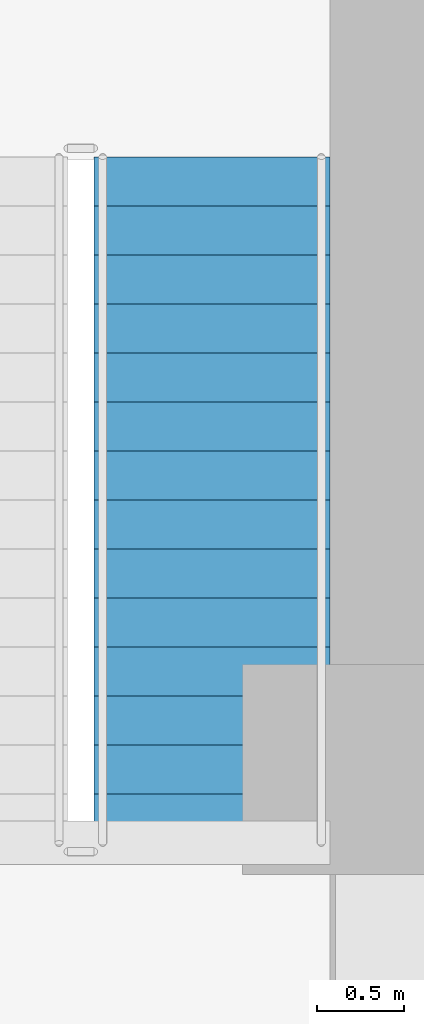
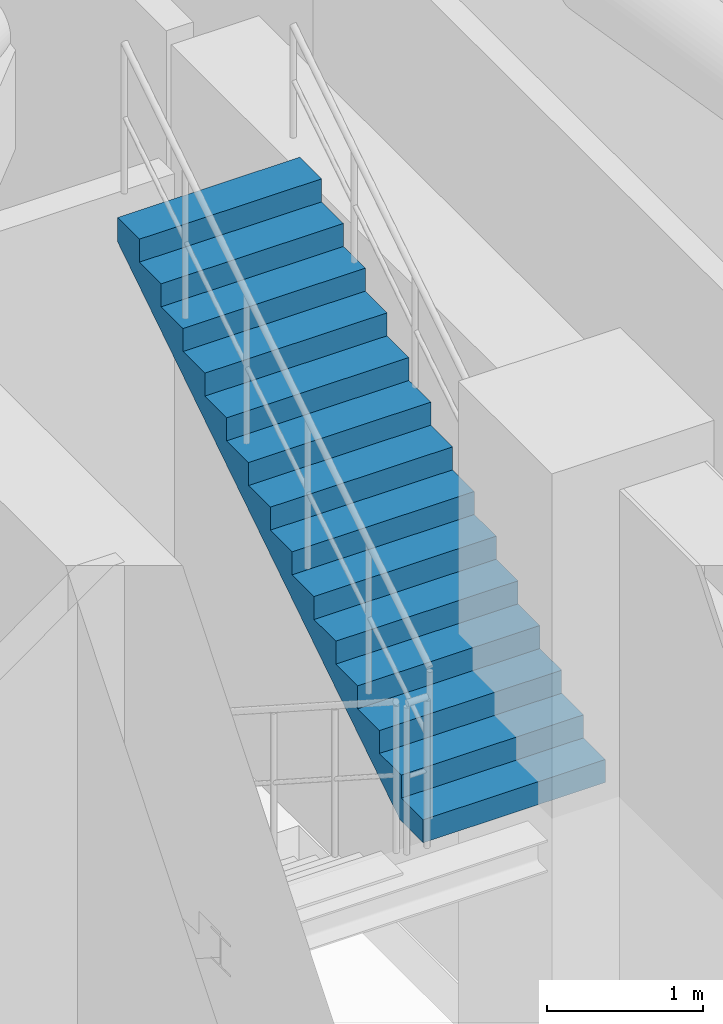
# One storey, part 5 of 6: 1 stair flight, 1 element without a shape of its own.
"""IFC4 building model written with IfcOpenShell, lengths in metres."""

from ifc_helpers import new_model, si_unit, direction, frame, origin, place, context, subcontext, project, spatial, polyline, outline, extrude, material, type_object, element, aggregate, save


model = new_model("IFC4")

# Units and contexts
model_context = context("Model", 3, precision=1e-05, world=origin(), true_north=direction((0.0, 1.0)))
body_context = subcontext(model_context, "Body", "Model", "MODEL_VIEW")
ifc_project = project(units=[si_unit("LENGTHUNIT", "METRE"), si_unit("AREAUNIT", "SQUARE_METRE"), si_unit("VOLUMEUNIT", "CUBIC_METRE"), si_unit("PLANEANGLEUNIT", "RADIAN"), si_unit("MASSUNIT", "GRAM", prefix="KILO")], contexts=[model_context])

# Site, building, storey
site_placement = place(None, origin())
site = spatial("IfcSite", under=ifc_project, at=site_placement, CompositionType="ELEMENT")
building_placement = place(site_placement, origin())
building = spatial("IfcBuilding", under=site, at=building_placement, Name="Miruveldt Soraemaru", CompositionType="ELEMENT")
storey_placement = place(building_placement, frame((0.0, 0.0, 90.39990234375)))
storey = spatial("IfcBuildingStorey", under=building, at=storey_placement, Name="L25", CompositionType="ELEMENT", Elevation=90.39990234375)

# Stair, stair flight
ifc_material = material(Name="Concrete C40/50 (40 MPa)", Category="concrete")
stair_type = type_object("IfcStairType", Name="STAIR-DL-540", PredefinedType="HALF_TURN_STAIR", material=ifc_material)
stair_placement = place(storey_placement, origin())
stair = element("IfcStair", 1, at=stair_placement, inside=storey, type_object=stair_type, Name="L25 Protected Exit Stair ST-2", PredefinedType="HALF_TURN_STAIR")
stair_flight_type = type_object("IfcStairFlightType", Name="SFL-DL-540", PredefinedType="STRAIGHT", material=ifc_material)
stair_flight_placement = place(storey_placement, frame((51.72509765625, 38.780029296875, 2.7001953125), z_axis=(0.0, 0.0, 1.0), x_axis=(0.0, 1.0, 0.0)))
stair_flight = element("IfcStairFlight", 2, at=stair_flight_placement, type_object=stair_flight_type, Name="ST-2 flight 2", NumberOfRisers=15, NumberOfTreads=14, PredefinedType="STRAIGHT", RiserHeight=0.18, TreadLength=0.28, context=body_context, shape_type="SweptSolid", body=[
    extrude(outline(polyline([(0.0, 0.0), (0.0, 0.179931640625), (0.280029296875, 0.179931640625), (0.280029296875, 0.360107421875), (0.56005859375, 0.360107421875), (0.56005859375, 0.5400390625), (0.840087890625, 0.5400390625), (0.840087890625, 0.719970703125), (1.1201171875, 0.719970703125), (1.1201171875, 0.89990234375), (1.39990234375, 0.89990234375), (1.39990234375, 1.080078125), (1.679931640625, 1.080078125), (1.679931640625, 1.260009765625), (1.9599609375, 1.260009765625), (1.9599609375, 1.43994140625), (2.239990234375, 1.43994140625), (2.239990234375, 1.6201171875), (2.52001953125, 1.6201171875), (2.52001953125, 1.800048828125), (2.800048828125, 1.800048828125), (2.800048828125, 1.97998046875), (3.080078125, 1.97998046875), (3.080078125, 2.159912109375), (3.360107421875, 2.159912109375), (3.360107421875, 2.340087890625), (3.639892578125, 2.340087890625), (3.639892578125, 2.52001953125), (3.919921875, 2.52001953125), (3.919921875, 2.699951171875), (3.919921875, 2.329833984375), (0.295654296875, 0.0), (0.0, 0.0)])), frame((0.0, 0.675048828125, 0.0), z_axis=(0.0, -1.0, 0.0), x_axis=(1.0, 0.0, 0.0)), (0.0, 0.0, 1.0), 1.35009765625),
])
aggregate(stair, [stair_flight])

save(model, "model.ifc")
